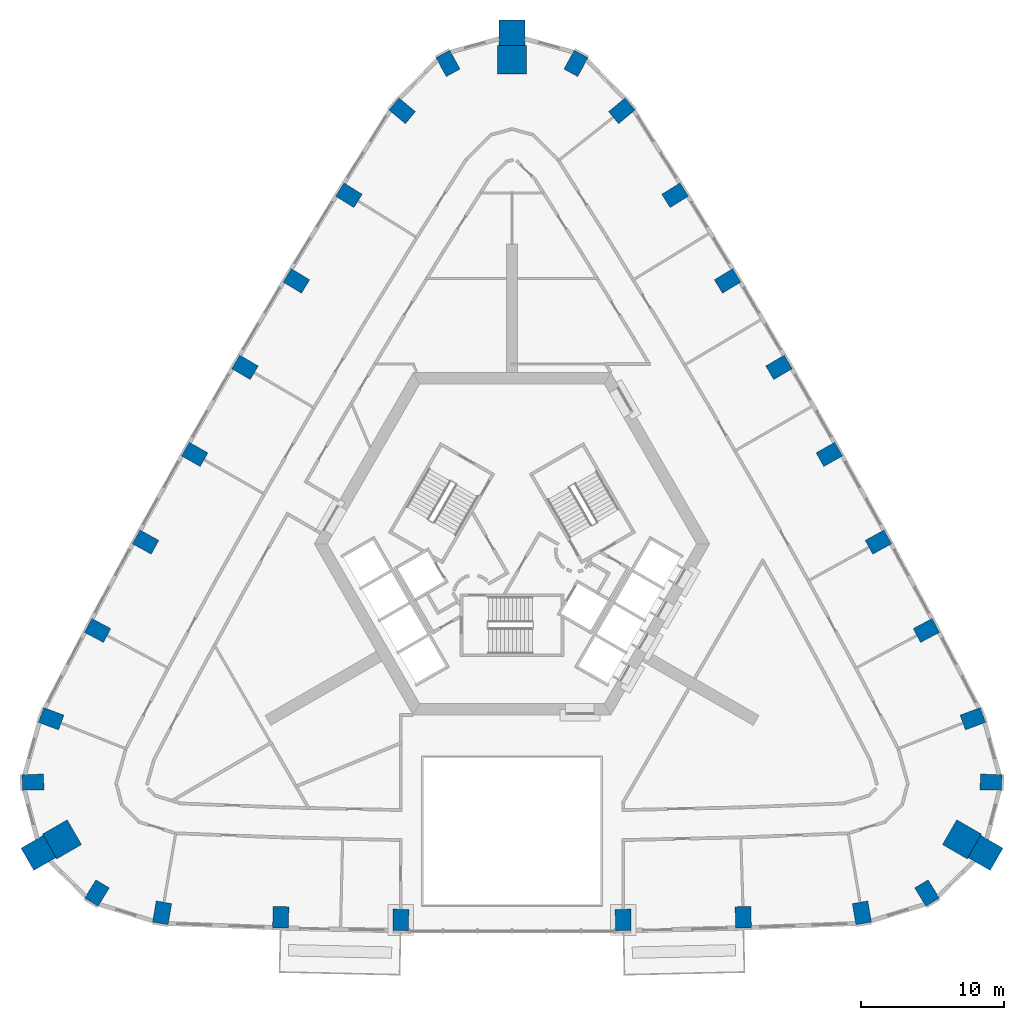
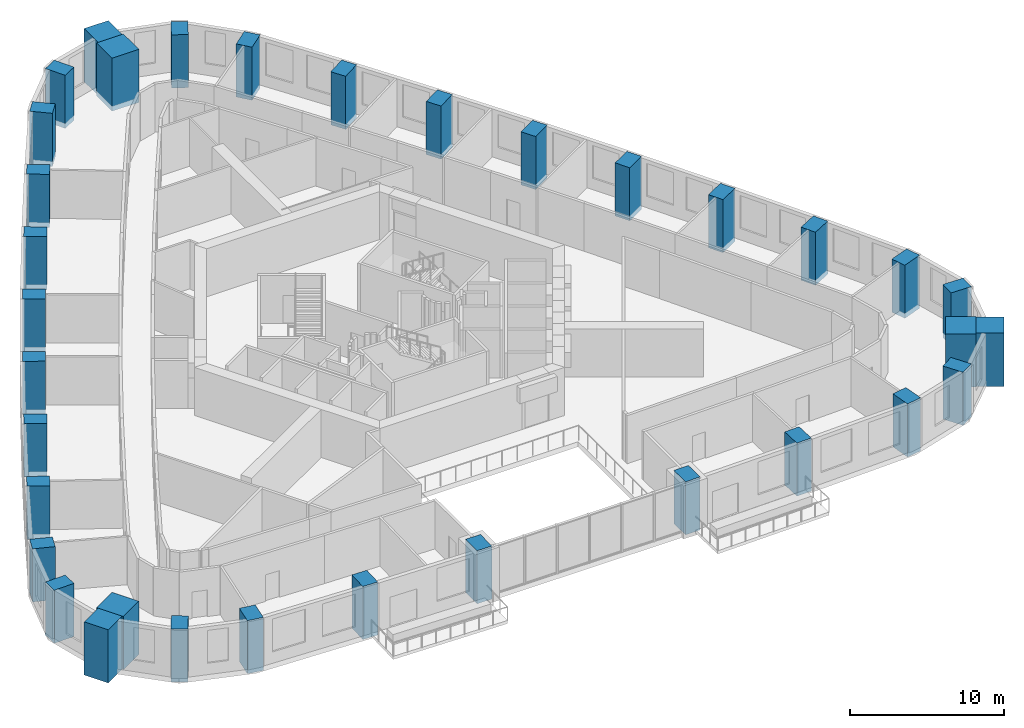
# One storey, part 1 of 12: 34 columns.
"""IFC4 building model written with IfcOpenShell, lengths in metres."""

from ifc_helpers import new_model, si_unit, direction, frame, origin, origin_2d, place, context, subcontext, project, spatial, rectangle, extrude, material, material_profile, profile_set, type_object, element, save


model = new_model("IFC4")

# Units and contexts
model_context = context("Model", 3, precision=1e-05, world=origin(), true_north=direction((0.0, 1.0)))
body_context = subcontext(model_context, "Body", "Model", "MODEL_VIEW")
ifc_project = project(units=[si_unit("LENGTHUNIT", "METRE"), si_unit("AREAUNIT", "SQUARE_METRE"), si_unit("VOLUMEUNIT", "CUBIC_METRE"), si_unit("PLANEANGLEUNIT", "RADIAN"), si_unit("MASSUNIT", "GRAM", prefix="KILO")], contexts=[model_context])

# Site, building, storey
site_placement = place(None, origin())
site = spatial("IfcSite", under=ifc_project, at=site_placement, CompositionType="ELEMENT")
building_placement = place(site_placement, origin())
building = spatial("IfcBuilding", under=site, at=building_placement, Name="Entoto Arch Interchange Tower", CompositionType="ELEMENT")
storey_placement = place(building_placement, frame((0.0, 0.0, 155.0)))
storey = spatial("IfcBuildingStorey", under=building, at=storey_placement, Name="L34", CompositionType="ELEMENT", Elevation=155.0)

# Columns
ifc_material_1 = material(Name="Concrete C50/60", Category="concrete")
ifc_material_profile_1 = material_profile(ifc_material_1, rectangle(XDim=1.10009765625, YDim=1.5, at=origin_2d()))
ifc_profile_set_1 = profile_set([ifc_material_profile_1], Name="Concrete C50/60")
column_type_1 = type_object("IfcColumnType", Name="Column RC 1100x1500 C50/60", PredefinedType="COLUMN", material=ifc_profile_set_1)
for number, where, z_axis, x_axis, name in (
    (1, (-24.51806640625, -23.35498046875, -0.39990234375), (0.0, 0.0, 1.0), (-0.985753417505, 0.168196908046, 0.0), "Column S01 L34"),
    (2, (-16.205078125, -23.666015625, -0.39990234375), (0.0, 0.0, 1.0), (-0.999496089207, 0.031742206272, 0.0), "Column S02 L34"),
    (3, (-7.7890625, -23.85693359375, -0.39990234375), (0.0, 0.0, 1.0), (-0.999931015761, 0.011745795767, 0.0), "Column S03 L34"),
    (4, (7.7890625, -23.85693359375, -0.39990234375), (0.0, 0.0, 1.0), (0.999931015761, 0.011745795767, 0.0), "Column S04 L34"),
    (5, (16.205078125, -23.666015625, -0.39990234375), (0.0, 0.0, 1.0), (0.999496089207, 0.031742206272, 0.0), "Column S05 L34"),
    (6, (24.51806640625, -23.35498046875, -0.39990234375), (0.0, 0.0, 1.0), (0.985753417505, 0.168196908046, 0.0), "Column S06 L34"),
    (7, (29.08203125, -21.967041015625, -0.39990234375), (0.0, 0.0, 1.0), (0.853714435155, 0.520741455243, 0.0), "Column SE1 L34"),
    (8, (33.56494140625, -14.201904296875, -0.39990234375), (0.0, 0.0, 1.0), (0.024118111467, 0.999709116043, 0.0), "Column SE3 L34"),
    (9, (32.2919921875, -9.758056640625, -0.39990234375), (0.0, 0.0, 1.0), (-0.346591874029, 0.93801603017, 0.0), "Column NE01 L34"),
    (10, (29.033935546875, -3.571044921875, -0.39990234375), (0.0, 0.0, 1.0), (-0.469856776649, 0.882742663202, 0.0), "Column NE02 L34"),
    (11, (25.673095703125, 2.6220703125, -0.39990234375), (0.0, 0.0, 1.0), (-0.481983074142, 0.876180527198, 0.0), "Column NE03 L34"),
    (12, (22.23193359375, 8.76904296875, -0.39990234375), (0.0, 0.0, 1.0), (-0.49401774245, 0.869451821635, 0.0), "Column NE04 L34"),
    (13, (18.7099609375, 14.8701171875, -0.39990234375), (0.0, 0.0, 1.0), (-0.505958493678, 0.8625578257, 0.0), "Column NE05 L34"),
    (14, (15.10693359375, 20.923095703125, -0.39990234375), (0.0, 0.0, 1.0), (-0.517803057784, 0.85549985, 0.0), "Column NE06 L34"),
    (15, (11.425048828125, 26.927978515625, -0.39990234375), (0.0, 0.0, 1.0), (-0.529549183013, 0.848279236319, 0.0), "Column NE07 L34"),
    (16, (7.695068359375, 32.844970703125, -0.39990234375), (0.0, 0.0, 1.0), (-0.63904977427, 0.76916538274, 0.0), "Column NE08 L34"),
    (17, (4.48291015625, 36.1689453125, -0.39990234375), (0.0, 0.0, 1.0), (-0.877832546621, 0.4789676608, 0.0), "Column N1 L34"),
    (18, (-4.48291015625, 36.1689453125, -0.39990234375), (0.0, 0.0, 1.0), (0.877832546621, 0.4789676608, 0.0), "Column N3 L34"),
    (19, (-7.695068359375, 32.844970703125, -0.39990234375), (0.0, 0.0, 1.0), (0.63904977427, 0.76916538274, 0.0), "Column NW01 L34"),
    (20, (-11.425048828125, 26.927978515625, -0.39990234375), (0.0, 0.0, 1.0), (0.529549183013, 0.848279236319, 0.0), "Column NW02 L34"),
    (21, (-15.10693359375, 20.923095703125, -0.39990234375), (0.0, 0.0, 1.0), (0.517803057784, 0.85549985, 0.0), "Column NW03 L34"),
    (22, (-18.7099609375, 14.8701171875, -0.39990234375), (0.0, 0.0, 1.0), (0.505958493678, 0.8625578257, 0.0), "Column NW04 L34"),
    (23, (-22.23193359375, 8.76904296875, -0.39990234375), (0.0, 0.0, 1.0), (0.49401774245, 0.869451821635, 0.0), "Column NW05 L34"),
    (24, (-25.673095703125, 2.6220703125, -0.39990234375), (0.0, 0.0, 1.0), (0.481983074142, 0.876180527198, 0.0), "Column NW06 L34"),
    (25, (-29.033935546875, -3.571044921875, -0.39990234375), (0.0, 0.0, 1.0), (0.469856776649, 0.882742663202, 0.0), "Column NW07 L34"),
    (26, (-32.2919921875, -9.758056640625, -0.39990234375), (0.0, 0.0, 1.0), (0.346591874029, 0.93801603017, 0.0), "Column NW08 L34"),
    (27, (-33.56494140625, -14.201904296875, -0.39990234375), (0.0, 0.0, 1.0), (-0.024118111467, 0.999709116043, 0.0), "Column SW1 L34"),
    (28, (-29.08203125, -21.967041015625, -0.39990234375), (0.0, 0.0, 1.0), (-0.853714435155, 0.520741455243, 0.0), "Column SW3 L34"),
):
    element("IfcColumn", number, at=place(storey_placement, frame(where, z_axis=z_axis, x_axis=x_axis)), inside=storey, type_object=column_type_1, Name=name, PredefinedType="COLUMN", context=body_context, shape_type="SweptSolid", body=[
        extrude(rectangle(XDim=1.10009765625, YDim=1.5, at=origin_2d()), origin(), (0.0, 0.0, 1.0), 4.199951171875),
    ])
ifc_material_2 = material(Name="Precast concrete C40/50", Category="concrete")
ifc_material_profile_2 = material_profile(ifc_material_2, rectangle(XDim=1.800048828125, YDim=1.800048828125, at=origin_2d()))
ifc_profile_set_2 = profile_set([ifc_material_profile_2], Name="Precast concrete C40/50")
column_type_2 = type_object("IfcColumnType", Name="Frame post RC 1800x1800 precast C40/50", PredefinedType="COLUMN", material=ifc_profile_set_2)
for number, where, z_axis, x_axis, name in (
    (29, (33.179931640625, -19.156005859375, -0.39990234375), (0.0, 0.0, 1.0), (-0.866025403784, 0.5, 0.0), "Frame post SE L34"),
    (30, (0.0, 38.31201171875, -0.39990234375), (0.0, 0.0, 1.0), (0.0, 1.0, 0.0), "Frame post N L34"),
    (31, (-33.179931640625, -19.156005859375, -0.39990234375), (0.0, 0.0, 1.0), (0.866025403784, 0.5, 0.0), "Frame post SW L34"),
):
    element("IfcColumn", number, at=place(storey_placement, frame(where, z_axis=z_axis, x_axis=x_axis)), inside=storey, type_object=column_type_2, Name=name, PredefinedType="COLUMN", context=body_context, shape_type="SweptSolid", body=[
        extrude(rectangle(XDim=1.800048828125, YDim=1.800048828125, at=origin_2d()), origin(), (0.0, 0.0, 1.0), 4.199951171875),
    ])
ifc_material_profile_3 = material_profile(ifc_material_1, rectangle(XDim=2.0, YDim=2.0, at=origin_2d()))
ifc_profile_set_3 = profile_set([ifc_material_profile_3], Name="Concrete C50/60")
column_type_3 = type_object("IfcColumnType", Name="Mega column RC 2000x2000 C50/60", PredefinedType="COLUMN", material=ifc_profile_set_3)
for number, where, z_axis, x_axis, name in (
    (32, (31.534912109375, -18.2060546875, -0.39990234375), (0.0, 0.0, 1.0), (-0.866025403784, 0.5, 0.0), "Corner mega column SE2 L34"),
    (33, (0.0, 36.412109375, -0.39990234375), (0.0, 0.0, 1.0), (0.0, 1.0, 0.0), "Corner mega column N2 L34"),
    (34, (-31.534912109375, -18.2060546875, -0.39990234375), (0.0, 0.0, 1.0), (0.866025403784, 0.5, 0.0), "Corner mega column SW2 L34"),
):
    element("IfcColumn", number, at=place(storey_placement, frame(where, z_axis=z_axis, x_axis=x_axis)), inside=storey, type_object=column_type_3, Name=name, PredefinedType="COLUMN", context=body_context, shape_type="SweptSolid", body=[
        extrude(rectangle(XDim=2.0, YDim=2.0, at=origin_2d()), origin(), (0.0, 0.0, 1.0), 4.199951171875),
    ])

save(model, "model.ifc")
